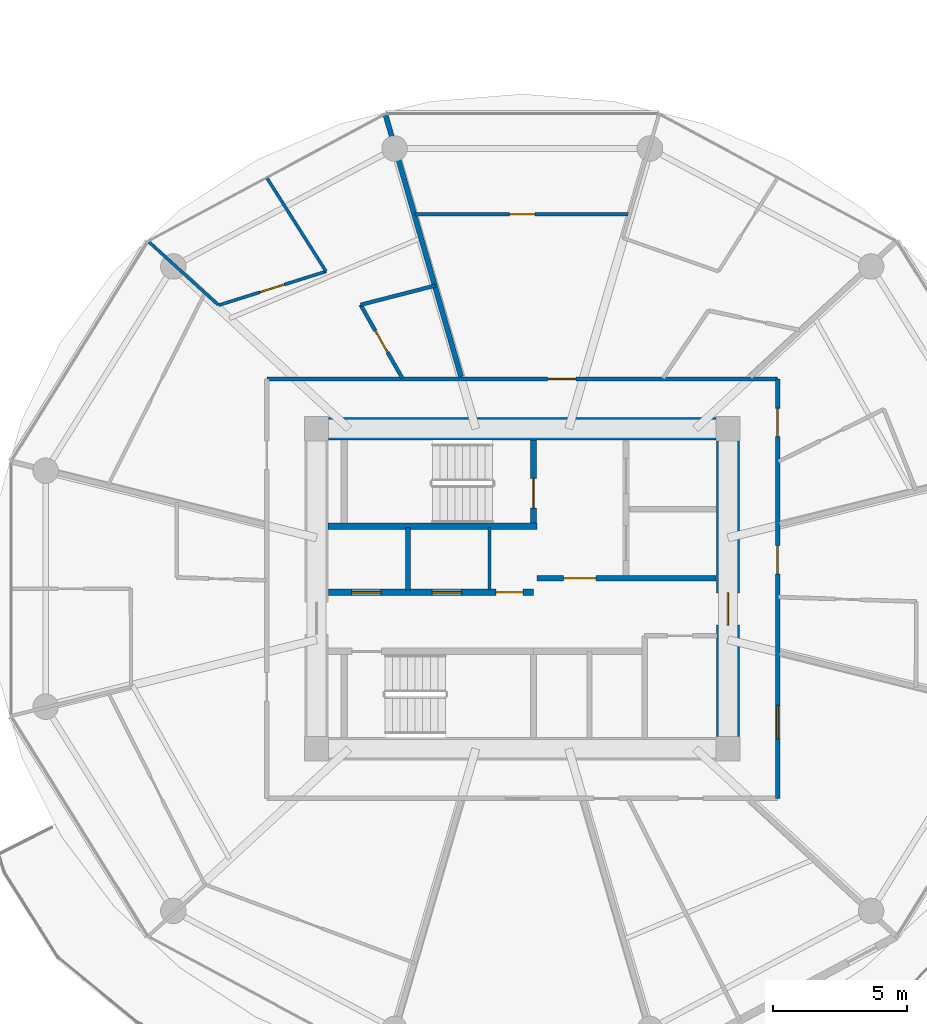
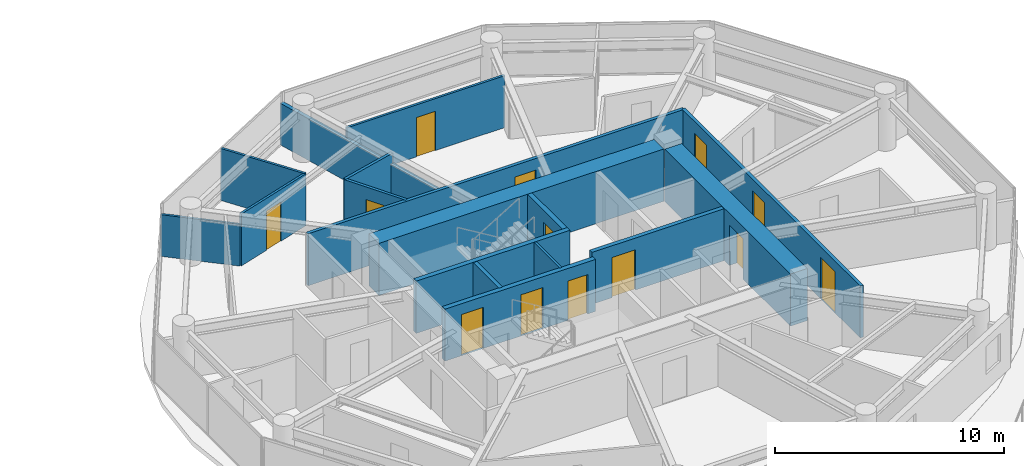
# One storey, part 19 of 26: 17 walls, 13 doors, 13 openings.
"""IFC4 building model written with IfcOpenShell, lengths in metres."""

from ifc_helpers import new_model, si_unit, direction, frame, frame_2d, origin, place, context, subcontext, project, spatial, rectangle, extrude, source, transform, mapped, material, layer, layer_set, type_object, type_shapes, element, fill, save


model = new_model("IFC4")

# Units and contexts
model_context = context("Model", 3, precision=1e-05, world=origin(), true_north=direction((0.0, 1.0)))
body_context = subcontext(model_context, "Body", "Model", "MODEL_VIEW")
ifc_project = project(units=[si_unit("LENGTHUNIT", "METRE"), si_unit("AREAUNIT", "SQUARE_METRE"), si_unit("VOLUMEUNIT", "CUBIC_METRE"), si_unit("PLANEANGLEUNIT", "RADIAN"), si_unit("MASSUNIT", "GRAM", prefix="KILO")], contexts=[model_context])

# Site, building, storey
site_placement = place(None, origin())
site = spatial("IfcSite", under=ifc_project, at=site_placement, CompositionType="ELEMENT")
building_placement = place(site_placement, origin())
building = spatial("IfcBuilding", under=site, at=building_placement, Name="Norrkilde Senior Care Towers", CompositionType="ELEMENT")
storey_placement = place(building_placement, frame((0.0, 0.0, 24.64990234375)))
storey = spatial("IfcBuildingStorey", under=building, at=storey_placement, Name="L06", CompositionType="ELEMENT", Elevation=24.64990234375)

# Wall
ifc_material_1 = material(Name="Concrete C60/75", Category="concrete")
ifc_layer_1 = layer(ifc_material_1, 0.85009765625)
ifc_layer_set_1 = layer_set([ifc_layer_1], Name="Concrete C60/75")
wall_type_1 = type_object("IfcWallType", Name="Core Shear Wall Z1 850", PredefinedType="SHEAR", material=ifc_layer_set_1)
shared_shape_1 = source(origin(), body_context, "Body", "SweptSolid", [
    extrude(rectangle(XDim=14.39990234375, YDim=0.85009765625, at=frame_2d((7.199951171875, 0.0))), origin(), (0.0, 0.0, 1.0), 2.7900390625),
])
wall_1_placement = place(storey_placement, frame((20.800048828125, 5.949951171875, 0.0), z_axis=(0.0, 0.0, 1.0), x_axis=(1.0, 0.0, 0.0)))
element("IfcWall", 1, at=wall_1_placement, inside=storey, type_object=wall_type_1, Name="L06 Core E North Shear Wall", PredefinedType="SHEAR", context=body_context, shape_type="MappedRepresentation", body=[
    mapped(shared_shape_1, transform((0.0, 0.0, 0.0), x_axis=(1.0, 0.0, 0.0), y_axis=(0.0, 1.0, 0.0), z_axis=(0.0, 0.0, 1.0), scale=1.0)),
])

# Wall, opening, door
shared_shape_2 = source(origin(), body_context, "Body", "SweptSolid", [
    extrude(rectangle(XDim=11.0, YDim=0.85009765625, at=frame_2d((5.5, 0.0))), origin(), (0.0, 0.0, 1.0), 2.7900390625),
])
type_shapes(wall_type_1, [shared_shape_1, shared_shape_2])
wall_2_placement = place(storey_placement, frame((35.64990234375, 5.5, 0.0), z_axis=(0.0, 0.0, 1.0), x_axis=(0.0, -1.0, 0.0)))
wall_2 = element("IfcWall", 2, at=wall_2_placement, inside=storey, type_object=wall_type_1, Name="L06 Core E East Shear Wall", PredefinedType="SHEAR", context=body_context, shape_type="MappedRepresentation", body=[
    mapped(shared_shape_2, transform((0.0, 0.0, 0.0), x_axis=(1.0, 0.0, 0.0), y_axis=(0.0, 1.0, 0.0), z_axis=(0.0, 0.0, 1.0), scale=1.0)),
])
opening_1_placement = place(wall_2_placement, frame((5.64990234375, 0.0, 0.0)))
opening_1 = element("IfcOpeningElement", 3, at=opening_1_placement, cuts=wall_2, Name="Opening D-04", PredefinedType="OPENING", context=body_context, shape_type="SweptSolid", body=[
    extrude(rectangle(XDim=1.199951171875, YDim=2.14990234375, at=frame_2d((0.60009765625, 1.074951171875))), frame((0.0, 0.43505859375, 0.0), z_axis=(0.0, -1.0, 0.0), x_axis=(1.0, 0.0, 0.0)), (0.0, 0.0, 1.0), 0.8701171875),
])
ifc_material_2 = material(Name="Galvanised Painted Steel", Category="steel")
door_type_1 = type_object("IfcDoorType", Name="Firefighting Lobby Fire Door 1200x2150", OperationType="NOTDEFINED", PredefinedType="DOOR", material=ifc_material_2)
shared_shape_3 = source(origin(), body_context, "Body", "SweptSolid", [
    extrude(rectangle(XDim=1.199951171875, YDim=2.14990234375, at=frame_2d((0.60009765625, 1.074951171875))), frame((0.0, 0.02490234375, 0.0), z_axis=(0.0, -1.0, 0.0), x_axis=(1.0, 0.0, 0.0)), (0.0, 0.0, 1.0), 0.050048828125),
])
type_shapes(door_type_1, [shared_shape_3])
door_1_placement = place(opening_1_placement, frame((1.199951171875, 0.0, 0.0), z_axis=(0.0, 0.0, 1.0), x_axis=(-1.0, 0.0, 0.0)))
door_1 = element("IfcDoor", 4, at=door_1_placement, inside=storey, type_object=door_type_1, Name="L06 Core E East Portal Door", OperationType="SINGLE_SWING_RIGHT", OverallHeight=2.14990234375, OverallWidth=1.199951171875, PredefinedType="DOOR", context=body_context, shape_type="MappedRepresentation", body=[
    mapped(shared_shape_3, transform((0.0, 0.0, 0.0), x_axis=(1.0, 0.0, 0.0), y_axis=(0.0, 1.0, 0.0), z_axis=(0.0, 0.0, 1.0), scale=1.0)),
])
fill(opening_1, door_1)

# Wall
ifc_material_3 = material(Name="Concrete C45/55", Category="concrete")
ifc_layer_2 = layer(ifc_material_3, 0.239990234375)
ifc_layer_set_2 = layer_set([ifc_layer_2], Name="Concrete C45/55")
wall_type_2 = type_object("IfcWallType", Name="Shaft and Stair Enclosure Wall 240", PredefinedType="PARTITIONING", material=ifc_layer_set_2)
shared_shape_4 = source(origin(), body_context, "Body", "SweptSolid", [
    extrude(rectangle(XDim=7.76513671875, YDim=0.239990234375, at=frame_2d((3.882568359375, 0.0))), origin(), (0.0, 0.0, 1.0), 2.7900390625),
])
wall_3_placement = place(storey_placement, frame((20.77490234375, 2.330078125, 0.0), z_axis=(0.0, 0.0, 1.0), x_axis=(1.0, 0.0, 0.0)))
element("IfcWall", 5, at=wall_3_placement, inside=storey, type_object=wall_type_2, Name="WL-INT-L06-E-ST1S", PredefinedType="PARTITIONING", context=body_context, shape_type="MappedRepresentation", body=[
    mapped(shared_shape_4, transform((0.0, 0.0, 0.0), x_axis=(1.0, 0.0, 0.0), y_axis=(0.0, 1.0, 0.0), z_axis=(0.0, 0.0, 1.0), scale=1.0)),
])

# Wall, opening, door
shared_shape_5 = source(origin(), body_context, "Body", "SweptSolid", [
    extrude(rectangle(XDim=3.074951171875, YDim=0.239990234375, at=frame_2d((1.53759765625, 0.0))), origin(), (0.0, 0.0, 1.0), 2.7900390625),
])
type_shapes(wall_type_2, [shared_shape_4, shared_shape_5])
wall_4_placement = place(storey_placement, frame((28.419921875, 2.449951171875, 0.0), z_axis=(0.0, 0.0, 1.0), x_axis=(0.0, 1.0, 0.0)))
wall_4 = element("IfcWall", 6, at=wall_4_placement, inside=storey, type_object=wall_type_2, Name="WL-INT-L06-E-ST1E", PredefinedType="PARTITIONING", context=body_context, shape_type="MappedRepresentation", body=[
    mapped(shared_shape_5, transform((0.0, 0.0, 0.0), x_axis=(1.0, 0.0, 0.0), y_axis=(0.0, 1.0, 0.0), z_axis=(0.0, 0.0, 1.0), scale=1.0)),
])
opening_2_placement = place(wall_4_placement, frame((0.550048828125, 0.0, 0.0)))
opening_2 = element("IfcOpeningElement", 7, at=opening_2_placement, cuts=wall_4, Name="Opening D-03", PredefinedType="OPENING", context=body_context, shape_type="SweptSolid", body=[
    extrude(rectangle(XDim=1.10009765625, YDim=2.14990234375, at=frame_2d((0.550048828125, 1.074951171875))), frame((0.0, 0.1298828125, 0.0), z_axis=(0.0, -1.0, 0.0), x_axis=(1.0, 0.0, 0.0)), (0.0, 0.0, 1.0), 0.260009765625),
])
door_type_2 = type_object("IfcDoorType", Name="Stairwell Protected Fire Door 1100x2150", OperationType="NOTDEFINED", PredefinedType="DOOR", material=ifc_material_2)
shared_shape_6 = source(origin(), body_context, "Body", "SweptSolid", [
    extrude(rectangle(XDim=1.10009765625, YDim=2.14990234375, at=frame_2d((0.550048828125, 1.074951171875))), frame((0.0, 0.02490234375, 0.0), z_axis=(0.0, -1.0, 0.0), x_axis=(1.0, 0.0, 0.0)), (0.0, 0.0, 1.0), 0.050048828125),
])
type_shapes(door_type_2, [shared_shape_6])
door_2_placement = place(opening_2_placement, origin())
door_2 = element("IfcDoor", 8, at=door_2_placement, inside=storey, type_object=door_type_2, Name="L06 Stair E1 Fire Door", OperationType="SINGLE_SWING_LEFT", OverallHeight=2.14990234375, OverallWidth=1.10009765625, PredefinedType="DOOR", context=body_context, shape_type="MappedRepresentation", body=[
    mapped(shared_shape_6, transform((0.0, 0.0, 0.0), x_axis=(1.0, 0.0, 0.0), y_axis=(0.0, 1.0, 0.0), z_axis=(0.0, 0.0, 1.0), scale=1.0)),
])
fill(opening_2, door_2)

ifc_layer_3 = layer(ifc_material_3, 0.2099609375)
ifc_layer_set_3 = layer_set([ifc_layer_3], Name="Concrete C45/55")
wall_type_3 = type_object("IfcWallType", Name="Firefighting Lobby Wall 210", PredefinedType="PARTITIONING", material=ifc_layer_set_3)
shared_shape_7 = source(origin(), body_context, "Body", "SweptSolid", [
    extrude(rectangle(XDim=6.659912109375, YDim=0.2099609375, at=frame_2d((3.330078125, 0.0))), origin(), (0.0, 0.0, 1.0), 2.775146484375),
])
type_shapes(wall_type_3, [shared_shape_7])
wall_5_placement = place(storey_placement, frame((28.5400390625, 0.389892578125, 0.0), z_axis=(0.0, 0.0, 1.0), x_axis=(1.0, 0.0, 0.0)))
wall_5 = element("IfcWall", 9, at=wall_5_placement, inside=storey, type_object=wall_type_3, Name="WL-INT-L06-E-FFLS", PredefinedType="PARTITIONING", context=body_context, shape_type="MappedRepresentation", body=[
    mapped(shared_shape_7, transform((0.0, 0.0, 0.0), x_axis=(1.0, 0.0, 0.0), y_axis=(0.0, 1.0, 0.0), z_axis=(0.0, 0.0, 1.0), scale=1.0)),
])
opening_3_placement = place(wall_5_placement, frame((1.0, 0.0, 0.0)))
opening_3 = element("IfcOpeningElement", 10, at=opening_3_placement, cuts=wall_5, Name="Opening D-04", PredefinedType="OPENING", context=body_context, shape_type="SweptSolid", body=[
    extrude(rectangle(XDim=1.199951171875, YDim=2.14990234375, at=frame_2d((0.60009765625, 1.074951171875))), frame((0.0, 0.114990234375, 0.0), z_axis=(0.0, -1.0, 0.0), x_axis=(1.0, 0.0, 0.0)), (0.0, 0.0, 1.0), 0.22998046875),
])
door_3_placement = place(opening_3_placement, frame((1.199951171875, 0.0, 0.0), z_axis=(0.0, 0.0, 1.0), x_axis=(-1.0, 0.0, 0.0)))
door_3 = element("IfcDoor", 11, at=door_3_placement, inside=storey, type_object=door_type_1, Name="L06 Firefighting Lobby E Door", OperationType="SINGLE_SWING_LEFT", OverallHeight=2.14990234375, OverallWidth=1.199951171875, PredefinedType="DOOR", context=body_context, shape_type="MappedRepresentation", body=[
    mapped(shared_shape_3, transform((0.0, 0.0, 0.0), x_axis=(1.0, 0.0, 0.0), y_axis=(0.0, 1.0, 0.0), z_axis=(0.0, 0.0, 1.0), scale=1.0)),
])
fill(opening_3, door_3)

# Wall, openings, doors
ifc_layer_4 = layer(ifc_material_3, 0.239990234375)
ifc_layer_set_4 = layer_set([ifc_layer_4], Name="Concrete C45/55")
wall_type_4 = type_object("IfcWallType", Name="Lift and Plant Rated Enclosure Partition 240", PredefinedType="PARTITIONING", material=ifc_layer_set_4)
shared_shape_8 = source(origin(), body_context, "Body", "SweptSolid", [
    extrude(rectangle(XDim=7.619873046875, YDim=0.239990234375, at=frame_2d((3.81005859375, 0.0))), origin(), (0.0, 0.0, 1.0), 2.775146484375),
])
type_shapes(wall_type_4, [shared_shape_8])
wall_6_placement = place(storey_placement, frame((20.800048828125, -0.1298828125, 0.0), z_axis=(0.0, 0.0, 1.0), x_axis=(1.0, 0.0, 0.0)))
wall_6 = element("IfcWall", 12, at=wall_6_placement, inside=storey, type_object=wall_type_4, Name="WL-INT-L06-E-PKAS", PredefinedType="PARTITIONING", context=body_context, shape_type="MappedRepresentation", body=[
    mapped(shared_shape_8, transform((0.0, 0.0, 0.0), x_axis=(1.0, 0.0, 0.0), y_axis=(0.0, 1.0, 0.0), z_axis=(0.0, 0.0, 1.0), scale=1.0)),
])
opening_4_placement = place(wall_6_placement, frame((6.219970703125, 0.0, 0.0)))
opening_4 = element("IfcOpeningElement", 13, at=opening_4_placement, cuts=wall_6, Name="Opening D-10", PredefinedType="OPENING", context=body_context, shape_type="SweptSolid", body=[
    extrude(rectangle(XDim=1.0, YDim=2.10009765625, at=frame_2d((0.5, 1.050048828125))), frame((0.0, 0.1298828125, 0.0), z_axis=(0.0, -1.0, 0.0), x_axis=(1.0, 0.0, 0.0)), (0.0, 0.0, 1.0), 0.260009765625),
])
opening_5_placement = place(wall_6_placement, frame((0.85009765625, 0.0, 0.0)))
opening_5 = element("IfcOpeningElement", 14, at=opening_5_placement, cuts=wall_6, Name="Opening LD-01", PredefinedType="OPENING", context=body_context, shape_type="SweptSolid", body=[
    extrude(rectangle(XDim=1.10009765625, YDim=2.199951171875, at=frame_2d((0.550048828125, 1.10009765625))), frame((0.0, 0.1298828125, 0.0), z_axis=(0.0, -1.0, 0.0), x_axis=(1.0, 0.0, 0.0)), (0.0, 0.0, 1.0), 0.260009765625),
])
opening_6_placement = place(wall_6_placement, frame((3.85009765625, 0.0, 0.0)))
opening_6 = element("IfcOpeningElement", 15, at=opening_6_placement, cuts=wall_6, Name="Opening LD-01", PredefinedType="OPENING", context=body_context, shape_type="SweptSolid", body=[
    extrude(rectangle(XDim=1.10009765625, YDim=2.199951171875, at=frame_2d((0.550048828125, 1.10009765625))), frame((0.0, 0.1298828125, 0.0), z_axis=(0.0, -1.0, 0.0), x_axis=(1.0, 0.0, 0.0)), (0.0, 0.0, 1.0), 0.260009765625),
])
door_type_3 = type_object("IfcDoorType", Name="Plant and Riser Rated Door 1000x2100", OperationType="NOTDEFINED", PredefinedType="DOOR", material=ifc_material_2)
shared_shape_9 = source(origin(), body_context, "Body", "SweptSolid", [
    extrude(rectangle(XDim=1.0, YDim=2.10009765625, at=frame_2d((0.5, 1.050048828125))), frame((0.0, 0.02490234375, 0.0), z_axis=(0.0, -1.0, 0.0), x_axis=(1.0, 0.0, 0.0)), (0.0, 0.0, 1.0), 0.050048828125),
])
type_shapes(door_type_3, [shared_shape_9])
door_4_placement = place(opening_4_placement, frame((1.0, 0.0, 0.0), z_axis=(0.0, 0.0, 1.0), x_axis=(-1.0, 0.0, 0.0)))
door_4 = element("IfcDoor", 16, at=door_4_placement, inside=storey, type_object=door_type_3, Name="L06 Electrical Riser E Door", OperationType="SINGLE_SWING_LEFT", OverallHeight=2.10009765625, OverallWidth=1.0, PredefinedType="DOOR", context=body_context, shape_type="MappedRepresentation", body=[
    mapped(shared_shape_9, transform((0.0, 0.0, 0.0), x_axis=(1.0, 0.0, 0.0), y_axis=(0.0, 1.0, 0.0), z_axis=(0.0, 0.0, 1.0), scale=1.0)),
])
fill(opening_4, door_4)
ifc_material_4 = material(Name="Stainless Steel", Category="steel")
door_type_4 = type_object("IfcDoorType", Name="Lift Landing Sliding Door 1100x2200", OperationType="NOTDEFINED", PredefinedType="DOOR", material=ifc_material_4)
shared_shape_10 = source(origin(), body_context, "Body", "SweptSolid", [
    extrude(rectangle(XDim=1.10009765625, YDim=2.199951171875, at=frame_2d((0.550048828125, 1.10009765625))), frame((0.0, 0.02490234375, 0.0), z_axis=(0.0, -1.0, 0.0), x_axis=(1.0, 0.0, 0.0)), (0.0, 0.0, 1.0), 0.050048828125),
])
type_shapes(door_type_4, [shared_shape_10])
door_5_placement = place(opening_5_placement, origin())
door_5 = element("IfcDoor", 17, at=door_5_placement, inside=storey, type_object=door_type_4, Name="L06 Passenger Lift E1 Landing Door", OperationType="SLIDING_TO_LEFT", OverallHeight=2.199951171875, OverallWidth=1.10009765625, PredefinedType="DOOR", context=body_context, shape_type="MappedRepresentation", body=[
    mapped(shared_shape_10, transform((0.0, 0.0, 0.0), x_axis=(1.0, 0.0, 0.0), y_axis=(0.0, 1.0, 0.0), z_axis=(0.0, 0.0, 1.0), scale=1.0)),
])
fill(opening_5, door_5)
door_6_placement = place(opening_6_placement, origin())
door_6 = element("IfcDoor", 18, at=door_6_placement, inside=storey, type_object=door_type_4, Name="L06 Passenger Lift E2 Landing Door", OperationType="SLIDING_TO_RIGHT", OverallHeight=2.199951171875, OverallWidth=1.10009765625, PredefinedType="DOOR", context=body_context, shape_type="MappedRepresentation", body=[
    mapped(shared_shape_10, transform((0.0, 0.0, 0.0), x_axis=(1.0, 0.0, 0.0), y_axis=(0.0, 1.0, 0.0), z_axis=(0.0, 0.0, 1.0), scale=1.0)),
])
fill(opening_6, door_6)

# Walls
ifc_material_5 = material(Name="Gypsum Acoustic Board")
ifc_layer_5 = layer(ifc_material_5, 0.114990234375)
ifc_layer_set_5 = layer_set([ifc_layer_5], Name="Gypsum Acoustic Board")
wall_type_5 = type_object("IfcWallType", Name="Internal Room Partition 115", PredefinedType="PARTITIONING", material=ifc_layer_set_5)
shared_shape_11 = source(origin(), body_context, "Body", "SweptSolid", [
    extrude(rectangle(XDim=2.330078125, YDim=0.114990234375, at=frame_2d((1.1650390625, 0.0))), origin(), (0.0, 0.0, 1.0), 2.775146484375),
])
wall_7_placement = place(storey_placement, frame((26.7900390625, -0.050048828125, 0.0), z_axis=(0.0, 0.0, 1.0), x_axis=(0.0, 1.0, 0.0)))
element("IfcWall", 19, at=wall_7_placement, inside=storey, type_object=wall_type_5, Name="WL-INT-L06-E-RISW", PredefinedType="PARTITIONING", context=body_context, shape_type="MappedRepresentation", body=[
    mapped(shared_shape_11, transform((0.0, 0.0, 0.0), x_axis=(1.0, 0.0, 0.0), y_axis=(0.0, 1.0, 0.0), z_axis=(0.0, 0.0, 1.0), scale=1.0)),
])
ifc_layer_6 = layer(ifc_material_3, 0.199951171875)
ifc_layer_set_6 = layer_set([ifc_layer_6], Name="Concrete C45/55")
wall_type_6 = type_object("IfcWallType", Name="Shaft Division and Plant Partition 200", PredefinedType="PARTITIONING", material=ifc_layer_set_6)
shared_shape_12 = source(origin(), body_context, "Body", "SweptSolid", [
    extrude(rectangle(XDim=2.330078125, YDim=0.199951171875, at=frame_2d((1.1650390625, 0.0))), origin(), (0.0, 0.0, 1.0), 2.775146484375),
])
type_shapes(wall_type_6, [shared_shape_12])
wall_8_placement = place(storey_placement, frame((23.75, -0.050048828125, 0.0), z_axis=(0.0, 0.0, 1.0), x_axis=(0.0, 1.0, 0.0)))
element("IfcWall", 20, at=wall_8_placement, inside=storey, type_object=wall_type_6, Name="WL-INT-L06-E-PL12", PredefinedType="PARTITIONING", context=body_context, shape_type="MappedRepresentation", body=[
    mapped(shared_shape_12, transform((0.0, 0.0, 0.0), x_axis=(1.0, 0.0, 0.0), y_axis=(0.0, 1.0, 0.0), z_axis=(0.0, 0.0, 1.0), scale=1.0)),
])

# Wall, opening, door
ifc_layer_7 = layer(ifc_material_5, 0.1650390625)
ifc_layer_set_7 = layer_set([ifc_layer_7], Name="Gypsum Acoustic Board")
wall_type_7 = type_object("IfcWallType", Name="Corridor Rated Partition 165", PredefinedType="PARTITIONING", material=ifc_layer_set_7)
shared_shape_13 = source(origin(), body_context, "Body", "SweptSolid", [
    extrude(rectangle(XDim=19.0, YDim=0.1650390625, at=frame_2d((9.5, 0.0))), origin(), (0.0, 0.0, 1.0), 2.775146484375),
])
wall_9_placement = place(storey_placement, frame((18.5, 7.800048828125, 0.0), z_axis=(0.0, 0.0, 1.0), x_axis=(1.0, 0.0, 0.0)))
wall_9 = element("IfcWall", 21, at=wall_9_placement, inside=storey, type_object=wall_type_7, Name="WL-INT-L06-E-CRW-N-0", PredefinedType="PARTITIONING", context=body_context, shape_type="MappedRepresentation", body=[
    mapped(shared_shape_13, transform((0.0, 0.0, 0.0), x_axis=(1.0, 0.0, 0.0), y_axis=(0.0, 1.0, 0.0), z_axis=(0.0, 0.0, 1.0), scale=1.0)),
])
opening_7_placement = place(wall_9_placement, frame((10.4482421875, 0.0, 0.0)))
opening_7 = element("IfcOpeningElement", 22, at=opening_7_placement, cuts=wall_9, Name="Opening D-06", PredefinedType="OPENING", context=body_context, shape_type="SweptSolid", body=[
    extrude(rectangle(XDim=1.050048828125, YDim=2.14990234375, at=frame_2d((0.52490234375, 1.074951171875))), frame((0.0, 0.092529296875, 0.0), z_axis=(0.0, -1.0, 0.0), x_axis=(1.0, 0.0, 0.0)), (0.0, 0.0, 1.0), 0.18505859375),
])
ifc_material_6 = material(Name="Nordic Ash Timber", Category="wood")
door_type_5 = type_object("IfcDoorType", Name="Apartment Entrance Fire Door 1050x2150", OperationType="NOTDEFINED", PredefinedType="DOOR", material=ifc_material_6)
shared_shape_14 = source(origin(), body_context, "Body", "SweptSolid", [
    extrude(rectangle(XDim=1.050048828125, YDim=2.14990234375, at=frame_2d((0.52490234375, 1.074951171875))), frame((0.0, 0.02490234375, 0.0), z_axis=(0.0, -1.0, 0.0), x_axis=(1.0, 0.0, 0.0)), (0.0, 0.0, 1.0), 0.050048828125),
])
type_shapes(door_type_5, [shared_shape_14])
door_7_placement = place(opening_7_placement, frame((1.050048828125, 0.0, 0.0), z_axis=(0.0, 0.0, 1.0), x_axis=(-1.0, 0.0, 0.0)))
door_7 = element("IfcDoor", 23, at=door_7_placement, inside=storey, type_object=door_type_5, Name="Apartment 06A Entrance Door", OperationType="SINGLE_SWING_RIGHT", OverallHeight=2.14990234375, OverallWidth=1.050048828125, PredefinedType="DOOR", context=body_context, shape_type="MappedRepresentation", body=[
    mapped(shared_shape_14, transform((0.0, 0.0, 0.0), x_axis=(1.0, 0.0, 0.0), y_axis=(0.0, 1.0, 0.0), z_axis=(0.0, 0.0, 1.0), scale=1.0)),
])
fill(opening_7, door_7)

# Wall, openings, doors
shared_shape_15 = source(origin(), body_context, "Body", "SweptSolid", [
    extrude(rectangle(XDim=15.60009765625, YDim=0.1650390625, at=frame_2d((7.800048828125, 0.0))), origin(), (0.0, 0.0, 1.0), 2.775146484375),
])
type_shapes(wall_type_7, [shared_shape_13, shared_shape_15])
wall_10_placement = place(storey_placement, frame((37.5, 7.800048828125, 0.0), z_axis=(0.0, 0.0, 1.0), x_axis=(0.0, -1.0, 0.0)))
wall_10 = element("IfcWall", 24, at=wall_10_placement, inside=storey, type_object=wall_type_7, Name="WL-INT-L06-E-CRW-E-0", PredefinedType="PARTITIONING", context=body_context, shape_type="MappedRepresentation", body=[
    mapped(shared_shape_15, transform((0.0, 0.0, 0.0), x_axis=(1.0, 0.0, 0.0), y_axis=(0.0, 1.0, 0.0), z_axis=(0.0, 0.0, 1.0), scale=1.0)),
])
opening_8_placement = place(wall_10_placement, frame((12.141357421875, 0.0, 0.0)))
opening_8 = element("IfcOpeningElement", 25, at=opening_8_placement, cuts=wall_10, Name="Opening D-05", PredefinedType="OPENING", context=body_context, shape_type="SweptSolid", body=[
    extrude(rectangle(XDim=1.25, YDim=2.199951171875, at=frame_2d((0.625, 1.10009765625))), frame((0.0, 0.092529296875, 0.0), z_axis=(0.0, -1.0, 0.0), x_axis=(1.0, 0.0, 0.0)), (0.0, 0.0, 1.0), 0.18505859375),
])
opening_9_placement = place(wall_10_placement, frame((6.19580078125, 0.0, 0.0)))
opening_9 = element("IfcOpeningElement", 26, at=opening_9_placement, cuts=wall_10, Name="Opening D-06", PredefinedType="OPENING", context=body_context, shape_type="SweptSolid", body=[
    extrude(rectangle(XDim=1.050048828125, YDim=2.14990234375, at=frame_2d((0.52490234375, 1.074951171875))), frame((0.0, 0.092529296875, 0.0), z_axis=(0.0, -1.0, 0.0), x_axis=(1.0, 0.0, 0.0)), (0.0, 0.0, 1.0), 0.18505859375),
])
opening_10_placement = place(wall_10_placement, frame((1.091796875, 0.0, 0.0)))
opening_10 = element("IfcOpeningElement", 27, at=opening_10_placement, cuts=wall_10, Name="Opening D-06", PredefinedType="OPENING", context=body_context, shape_type="SweptSolid", body=[
    extrude(rectangle(XDim=1.050048828125, YDim=2.14990234375, at=frame_2d((0.52490234375, 1.074951171875))), frame((0.0, 0.092529296875, 0.0), z_axis=(0.0, -1.0, 0.0), x_axis=(1.0, 0.0, 0.0)), (0.0, 0.0, 1.0), 0.18505859375),
])
door_type_6 = type_object("IfcDoorType", Name="Care Bedroom Bariatric Door 1250x2200", OperationType="NOTDEFINED", PredefinedType="DOOR", material=ifc_material_6)
shared_shape_16 = source(origin(), body_context, "Body", "SweptSolid", [
    extrude(rectangle(XDim=1.25, YDim=2.199951171875, at=frame_2d((0.625, 1.10009765625))), frame((0.0, 0.02490234375, 0.0), z_axis=(0.0, -1.0, 0.0), x_axis=(1.0, 0.0, 0.0)), (0.0, 0.0, 1.0), 0.050048828125),
])
type_shapes(door_type_6, [shared_shape_16])
door_8_placement = place(opening_8_placement, frame((1.25, 0.0, 0.0), z_axis=(0.0, 0.0, 1.0), x_axis=(-1.0, 0.0, 0.0)))
door_8 = element("IfcDoor", 28, at=door_8_placement, inside=storey, type_object=door_type_6, Name="L06 Care Coordination Charting Office Door", OperationType="SINGLE_SWING_LEFT", OverallHeight=2.199951171875, OverallWidth=1.25, PredefinedType="DOOR", context=body_context, shape_type="MappedRepresentation", body=[
    mapped(shared_shape_16, transform((0.0, 0.0, 0.0), x_axis=(1.0, 0.0, 0.0), y_axis=(0.0, 1.0, 0.0), z_axis=(0.0, 0.0, 1.0), scale=1.0)),
])
fill(opening_8, door_8)
door_9_placement = place(opening_9_placement, frame((1.050048828125, 0.0, 0.0), z_axis=(0.0, 0.0, 1.0), x_axis=(-1.0, 0.0, 0.0)))
door_9 = element("IfcDoor", 29, at=door_9_placement, inside=storey, type_object=door_type_5, Name="L06 Studio 06G Entrance Door", OperationType="SINGLE_SWING_LEFT", OverallHeight=2.14990234375, OverallWidth=1.050048828125, PredefinedType="DOOR", context=body_context, shape_type="MappedRepresentation", body=[
    mapped(shared_shape_14, transform((0.0, 0.0, 0.0), x_axis=(1.0, 0.0, 0.0), y_axis=(0.0, 1.0, 0.0), z_axis=(0.0, 0.0, 1.0), scale=1.0)),
])
fill(opening_9, door_9)
door_10_placement = place(opening_10_placement, frame((1.050048828125, 0.0, 0.0), z_axis=(0.0, 0.0, 1.0), x_axis=(-1.0, 0.0, 0.0)))
door_10 = element("IfcDoor", 30, at=door_10_placement, inside=storey, type_object=door_type_5, Name="L06 Studio 06H Entrance Door", OperationType="SINGLE_SWING_RIGHT", OverallHeight=2.14990234375, OverallWidth=1.050048828125, PredefinedType="DOOR", context=body_context, shape_type="MappedRepresentation", body=[
    mapped(shared_shape_14, transform((0.0, 0.0, 0.0), x_axis=(1.0, 0.0, 0.0), y_axis=(0.0, 1.0, 0.0), z_axis=(0.0, 0.0, 1.0), scale=1.0)),
])
fill(opening_10, door_10)

# Wall
ifc_layer_8 = layer(ifc_material_5, 0.18994140625)
ifc_layer_set_8 = layer_set([ifc_layer_8], Name="Gypsum Acoustic Board")
wall_type_8 = type_object("IfcWallType", Name="Unit Demising Acoustic Wall 190", PredefinedType="PARTITIONING", material=ifc_layer_set_8)
shared_shape_17 = source(origin(), body_context, "Body", "SweptSolid", [
    extrude(rectangle(XDim=10.196044921875, YDim=0.18994140625, at=frame_2d((5.09814453125, 0.0))), origin(), (0.0, 0.0, 1.0), 2.22509765625),
])
type_shapes(wall_type_8, [shared_shape_17])
wall_11_placement = place(storey_placement, frame((25.72705078125, 7.8798828125, 0.0), z_axis=(0.0, 0.0, 1.0), x_axis=(-0.277136420347, 0.960830580549, 0.0)))
element("IfcWall", 31, at=wall_11_placement, inside=storey, type_object=wall_type_8, Name="WL-INT-L06-E-DEM-03-0", PredefinedType="PARTITIONING", context=body_context, shape_type="MappedRepresentation", body=[
    mapped(shared_shape_17, transform((0.0, 0.0, 0.0), x_axis=(1.0, 0.0, 0.0), y_axis=(0.0, 1.0, 0.0), z_axis=(0.0, 0.0, 1.0), scale=1.0)),
])

# Wall, opening, door
shared_shape_18 = source(origin(), body_context, "Body", "SweptSolid", [
    extrude(rectangle(XDim=7.99267578125, YDim=0.114990234375, at=frame_2d((3.996337890625, 0.0))), origin(), (0.0, 0.0, 1.0), 2.775146484375),
])
wall_12_placement = place(storey_placement, frame((31.996337890625, 13.927001953125, 0.0), z_axis=(0.0, 0.0, 1.0), x_axis=(-1.0, 0.0, 0.0)))
wall_12 = element("IfcWall", 32, at=wall_12_placement, inside=storey, type_object=wall_type_5, Name="WL-INT-L06-E-UBC-01-1", PredefinedType="PARTITIONING", context=body_context, shape_type="MappedRepresentation", body=[
    mapped(shared_shape_18, transform((0.0, 0.0, 0.0), x_axis=(1.0, 0.0, 0.0), y_axis=(0.0, 1.0, 0.0), z_axis=(0.0, 0.0, 1.0), scale=1.0)),
])
opening_11_placement = place(wall_12_placement, frame((3.521484375, 0.0, 0.0)))
opening_11 = element("IfcOpeningElement", 33, at=opening_11_placement, cuts=wall_12, Name="Opening D-07", PredefinedType="OPENING", context=body_context, shape_type="SweptSolid", body=[
    extrude(rectangle(XDim=0.949951171875, YDim=2.10009765625, at=frame_2d((0.47509765625, 1.050048828125))), frame((0.0, 0.0673828125, 0.0), z_axis=(0.0, -1.0, 0.0), x_axis=(1.0, 0.0, 0.0)), (0.0, 0.0, 1.0), 0.135009765625),
])
door_type_7 = type_object("IfcDoorType", Name="Internal Suite Bedroom Door 950x2100", OperationType="NOTDEFINED", PredefinedType="DOOR", material=ifc_material_6)
shared_shape_19 = source(origin(), body_context, "Body", "SweptSolid", [
    extrude(rectangle(XDim=0.949951171875, YDim=2.10009765625, at=frame_2d((0.47509765625, 1.050048828125))), frame((0.0, 0.02490234375, 0.0), z_axis=(0.0, -1.0, 0.0), x_axis=(1.0, 0.0, 0.0)), (0.0, 0.0, 1.0), 0.050048828125),
])
type_shapes(door_type_7, [shared_shape_19])
door_11_placement = place(opening_11_placement, origin())
door_11 = element("IfcDoor", 34, at=door_11_placement, inside=storey, type_object=door_type_7, Name="Apartment 06A Bedroom 1 Door", OperationType="SINGLE_SWING_LEFT", OverallHeight=2.10009765625, OverallWidth=0.949951171875, PredefinedType="DOOR", context=body_context, shape_type="MappedRepresentation", body=[
    mapped(shared_shape_19, transform((0.0, 0.0, 0.0), x_axis=(1.0, 0.0, 0.0), y_axis=(0.0, 1.0, 0.0), z_axis=(0.0, 0.0, 1.0), scale=1.0)),
])
fill(opening_11, door_11)

# Walls
shared_shape_20 = source(origin(), body_context, "Body", "SweptSolid", [
    extrude(rectangle(XDim=4.150390625, YDim=0.114990234375, at=frame_2d((2.0751953125, 0.0))), origin(), (0.0, 0.0, 1.0), 2.775146484375),
])
wall_13_placement = place(storey_placement, frame((20.703857421875, 11.800537109375, 0.0), z_axis=(0.0, 0.0, 1.0), x_axis=(-0.534475378192, 0.845184045109, 0.0)))
element("IfcWall", 35, at=wall_13_placement, inside=storey, type_object=wall_type_5, Name="WL-INT-L06-E-UKTS-03", PredefinedType="PARTITIONING", context=body_context, shape_type="MappedRepresentation", body=[
    mapped(shared_shape_20, transform((0.0, 0.0, 0.0), x_axis=(1.0, 0.0, 0.0), y_axis=(0.0, 1.0, 0.0), z_axis=(0.0, 0.0, 1.0), scale=1.0)),
])
shared_shape_21 = source(origin(), body_context, "Body", "SweptSolid", [
    extrude(rectangle(XDim=3.550537109375, YDim=0.114990234375, at=frame_2d((1.775390625, 0.0))), origin(), (0.0, 0.0, 1.0), 2.22509765625),
])
wall_14_placement = place(storey_placement, frame((16.698486328125, 10.552978515625, 0.0), z_axis=(0.0, 0.0, 1.0), x_axis=(-0.740291560769, 0.672285954824, 0.0)))
element("IfcWall", 36, at=wall_14_placement, inside=storey, type_object=wall_type_5, Name="WL-INT-L06-E-UBR-03-1", PredefinedType="PARTITIONING", context=body_context, shape_type="MappedRepresentation", body=[
    mapped(shared_shape_21, transform((0.0, 0.0, 0.0), x_axis=(1.0, 0.0, 0.0), y_axis=(0.0, 1.0, 0.0), z_axis=(0.0, 0.0, 1.0), scale=1.0)),
])

# Wall, opening, door
ifc_layer_9 = layer(ifc_material_5, 0.139892578125)
ifc_layer_set_9 = layer_set([ifc_layer_9], Name="Gypsum Acoustic Board")
wall_type_9 = type_object("IfcWallType", Name="En-suite Wet Room Wall 140", PredefinedType="PARTITIONING", material=ifc_layer_set_9)
shared_shape_22 = source(origin(), body_context, "Body", "SweptSolid", [
    extrude(rectangle(XDim=3.14111328125, YDim=0.139892578125, at=frame_2d((1.570556640625, 0.0))), origin(), (0.0, 0.0, 1.0), 2.775146484375),
])
wall_15_placement = place(storey_placement, frame((23.54150390625, 7.830078125, 0.0), z_axis=(0.0, 0.0, 1.0), x_axis=(-0.494874486088, 0.868964465913, 0.0)))
wall_15 = element("IfcWall", 37, at=wall_15_placement, inside=storey, type_object=wall_type_9, Name="WL-INT-L06-E-UBTS-03", PredefinedType="PARTITIONING", context=body_context, shape_type="MappedRepresentation", body=[
    mapped(shared_shape_22, transform((0.0, 0.0, 0.0), x_axis=(1.0, 0.0, 0.0), y_axis=(0.0, 1.0, 0.0), z_axis=(0.0, 0.0, 1.0), scale=1.0)),
])
opening_12_placement = place(wall_15_placement, frame((1.110595703125, 0.0, 0.0)))
opening_12 = element("IfcOpeningElement", 38, at=opening_12_placement, cuts=wall_15, Name="Opening D-08", PredefinedType="OPENING", context=body_context, shape_type="SweptSolid", body=[
    extrude(rectangle(XDim=0.919921875, YDim=2.10009765625, at=frame_2d((0.4599609375, 1.050048828125))), frame((0.0, 0.079833984375, 0.0), z_axis=(0.0, -1.0, 0.0), x_axis=(1.0, 0.0, 0.0)), (0.0, 0.0, 1.0), 0.159912109375),
])
door_type_8 = type_object("IfcDoorType", Name="Accessible Wet Room Door 920x2100", OperationType="NOTDEFINED", PredefinedType="DOOR", material=ifc_material_6)
shared_shape_23 = source(origin(), body_context, "Body", "SweptSolid", [
    extrude(rectangle(XDim=0.919921875, YDim=2.10009765625, at=frame_2d((0.4599609375, 1.050048828125))), frame((0.0, 0.02490234375, 0.0), z_axis=(0.0, -1.0, 0.0), x_axis=(1.0, 0.0, 0.0)), (0.0, 0.0, 1.0), 0.050048828125),
])
type_shapes(door_type_8, [shared_shape_23])
door_12_placement = place(opening_12_placement, origin())
door_12 = element("IfcDoor", 39, at=door_12_placement, inside=storey, type_object=door_type_8, Name="Apartment 06B Bathroom Door", OperationType="SINGLE_SWING_LEFT", OverallHeight=2.10009765625, OverallWidth=0.919921875, PredefinedType="DOOR", context=body_context, shape_type="MappedRepresentation", body=[
    mapped(shared_shape_23, transform((0.0, 0.0, 0.0), x_axis=(1.0, 0.0, 0.0), y_axis=(0.0, 1.0, 0.0), z_axis=(0.0, 0.0, 1.0), scale=1.0)),
])
fill(opening_12, door_12)

# Wall
shared_shape_24 = source(origin(), body_context, "Body", "SweptSolid", [
    extrude(rectangle(XDim=2.8681640625, YDim=0.139892578125, at=frame_2d((1.43408203125, 0.0))), origin(), (0.0, 0.0, 1.0), 2.775146484375),
])
type_shapes(wall_type_9, [shared_shape_22, shared_shape_24])
wall_16_placement = place(storey_placement, frame((21.987060546875, 10.5595703125, 0.0), z_axis=(0.0, 0.0, 1.0), x_axis=(0.968467705195, 0.249139125778, 0.0)))
element("IfcWall", 40, at=wall_16_placement, inside=storey, type_object=wall_type_9, Name="WL-INT-L06-E-UBTF-03", PredefinedType="PARTITIONING", context=body_context, shape_type="MappedRepresentation", body=[
    mapped(shared_shape_24, transform((0.0, 0.0, 0.0), x_axis=(1.0, 0.0, 0.0), y_axis=(0.0, 1.0, 0.0), z_axis=(0.0, 0.0, 1.0), scale=1.0)),
])

# Wall, opening, door
shared_shape_25 = source(origin(), body_context, "Body", "SweptSolid", [
    extrude(rectangle(XDim=4.18896484375, YDim=0.114990234375, at=frame_2d((2.094482421875, 0.0))), origin(), (0.0, 0.0, 1.0), 2.775146484375),
])
type_shapes(wall_type_5, [shared_shape_11, shared_shape_18, shared_shape_20, shared_shape_21, shared_shape_25])
wall_17_placement = place(storey_placement, frame((20.703857421875, 11.800537109375, 0.0), z_axis=(0.0, 0.0, 1.0), x_axis=(-0.954002766053, -0.299797802467, 0.0)))
wall_17 = element("IfcWall", 41, at=wall_17_placement, inside=storey, type_object=wall_type_5, Name="WL-INT-L06-E-UKTF-03", PredefinedType="PARTITIONING", context=body_context, shape_type="MappedRepresentation", body=[
    mapped(shared_shape_25, transform((0.0, 0.0, 0.0), x_axis=(1.0, 0.0, 0.0), y_axis=(0.0, 1.0, 0.0), z_axis=(0.0, 0.0, 1.0), scale=1.0)),
])
opening_13_placement = place(wall_17_placement, frame((1.619384765625, 0.0, 0.0)))
opening_13 = element("IfcOpeningElement", 42, at=opening_13_placement, cuts=wall_17, Name="Opening D-07", PredefinedType="OPENING", context=body_context, shape_type="SweptSolid", body=[
    extrude(rectangle(XDim=0.949951171875, YDim=2.10009765625, at=frame_2d((0.47509765625, 1.050048828125))), frame((0.0, 0.0673828125, 0.0), z_axis=(0.0, -1.0, 0.0), x_axis=(1.0, 0.0, 0.0)), (0.0, 0.0, 1.0), 0.135009765625),
])
door_13_placement = place(opening_13_placement, frame((0.949951171875, 0.0, 0.0), z_axis=(0.0, 0.0, 1.0), x_axis=(-1.0, 0.0, 0.0)))
door_13 = element("IfcDoor", 43, at=door_13_placement, inside=storey, type_object=door_type_7, Name="Apartment 06B Kitchen Door", OperationType="SINGLE_SWING_RIGHT", OverallHeight=2.10009765625, OverallWidth=0.949951171875, PredefinedType="DOOR", context=body_context, shape_type="MappedRepresentation", body=[
    mapped(shared_shape_19, transform((0.0, 0.0, 0.0), x_axis=(1.0, 0.0, 0.0), y_axis=(0.0, 1.0, 0.0), z_axis=(0.0, 0.0, 1.0), scale=1.0)),
])
fill(opening_13, door_13)

save(model, "model.ifc")
